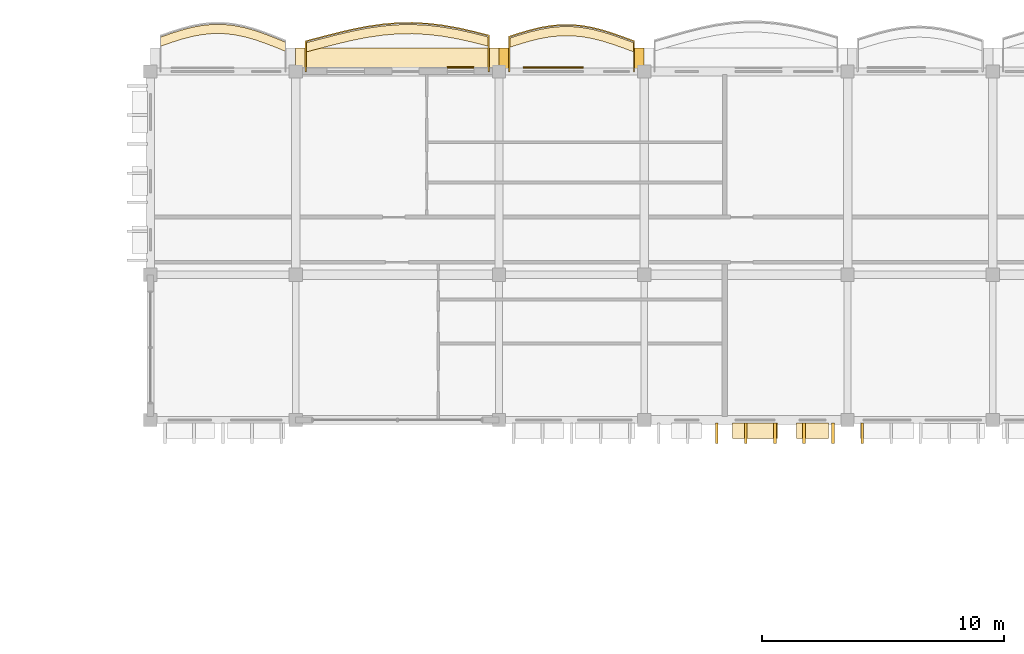
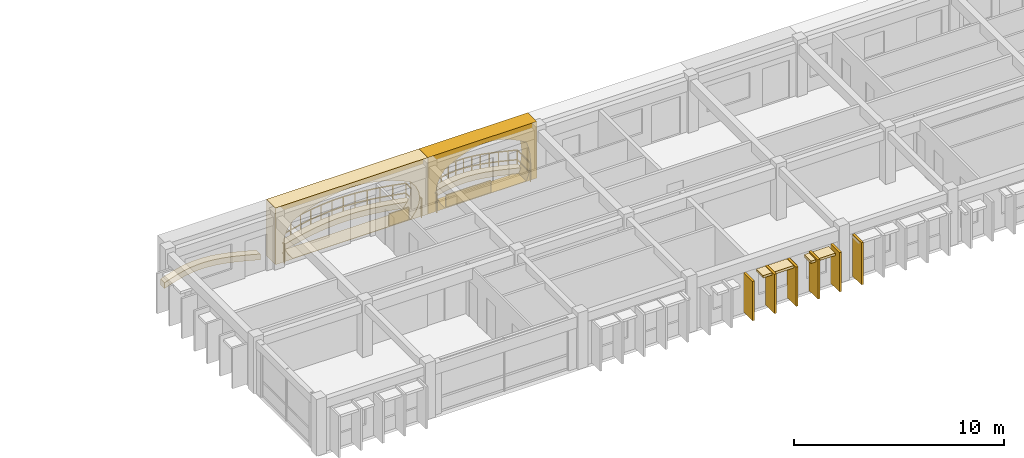
# One storey, part 47 of 54: 15 coverings, 2 railings.
"""IFC4 building model written with IfcOpenShell, lengths in metres."""

import ifcopenshell
import ifcopenshell.guid

model = None  # the IFC model being written
_history = None  # IfcOwnerHistory: only IFC2X3 demands one
_inside = {}  # id of a spatial element -> (the spatial element, [elements in it])
_under = {}  # id of a project, library or spatial element -> (it, [spatial elements below it])
_declared = {}  # id of a project -> (the project, [libraries it declares])
_typed = {}  # id of a type object -> (the type object, [elements of that type])
_made_of = {}  # id of a material, layer set ... -> (it, [elements and type objects made of it])


def new_model(schema):
    """Start an empty IFC model of exactly this schema.

    Asked for "IFC4X3", IfcOpenShell would pick the latest addendum, in which some entities
    have other attributes; the version numbers below select the first issue.
    IFC2X3 requires an IfcOwnerHistory on every rooted entity: one is made here for all.
    """
    global model, _history
    if schema == "IFC4X3":
        model = ifcopenshell.file(schema_version=(4, 3, 0, 0))
    else:
        model = ifcopenshell.file(schema=schema)
    _inside.clear()
    _under.clear()
    _declared.clear()
    _typed.clear()
    _made_of.clear()
    _history = None
    if model.schema == "IFC2X3":
        org = make("IfcOrganization", Name="unknown")
        user = make(
            "IfcPersonAndOrganization",
            ThePerson=make("IfcPerson", FamilyName="unknown"),
            TheOrganization=org,
        )
        app = make(
            "IfcApplication",
            ApplicationDeveloper=org,
            Version="unknown",
            ApplicationFullName="unknown",
            ApplicationIdentifier="unknown",
        )
        _history = make(
            "IfcOwnerHistory",
            OwningUser=user,
            OwningApplication=app,
            ChangeAction="ADDED",
            CreationDate=0,
        )
    return model


def make(cls, **values):
    """One entity of the class cls with the attributes given. An attribute that is None is left unset."""
    return model.create_entity(
        cls, **{name: value for name, value in values.items() if value is not None}
    )


def rooted(cls, **values):
    """An entity with a GlobalId (a new one), such as an element, a storey or a relation."""
    return make(cls, GlobalId=ifcopenshell.guid.new(), OwnerHistory=_history, **values)


def si_unit(unit_type, name, prefix=None):
    """IfcSIUnit, for example si_unit("LENGTHUNIT", "METRE", prefix="MILLI")."""
    return make("IfcSIUnit", UnitType=unit_type, Prefix=prefix, Name=name)


def assignment(units):
    """IfcUnitAssignment: the units of a project."""
    return None if units is None else make("IfcUnitAssignment", Units=units)


def point(xyz):
    """IfcCartesianPoint."""
    return None if xyz is None else make("IfcCartesianPoint", Coordinates=xyz)


def direction(xyz):
    """IfcDirection."""
    return None if xyz is None else make("IfcDirection", DirectionRatios=xyz)


def frame(location, z_axis=None, x_axis=None):
    """IfcAxis2Placement3D, a coordinate frame: its origin and axes. An axis left out is left unset."""
    return make(
        "IfcAxis2Placement3D",
        Location=point(location),
        Axis=direction(z_axis),
        RefDirection=direction(x_axis),
    )


def frame_2d(location, x_axis=None):
    """IfcAxis2Placement2D, a coordinate frame in the plane: its origin and x axis."""
    return make(
        "IfcAxis2Placement2D", Location=point(location), RefDirection=direction(x_axis)
    )


def origin():
    """The frame at (0, 0, 0) with its axes left unset."""
    return frame((0.0, 0.0, 0.0))


def origin_2d():
    """The frame at (0, 0) in the plane with its x axis left unset."""
    return frame_2d((0.0, 0.0))


def place(relative_to, where):
    """IfcLocalPlacement: puts the frame where relative to a parent placement (None: the world)."""
    return make(
        "IfcLocalPlacement", PlacementRelTo=relative_to, RelativePlacement=where
    )


def context(
    kind, dimensions, precision=None, world=None, true_north=None, identifier=None
):
    """IfcGeometricRepresentationContext, for example the 3D "Model" context."""
    return make(
        "IfcGeometricRepresentationContext",
        ContextIdentifier=identifier,
        ContextType=kind,
        CoordinateSpaceDimension=dimensions,
        Precision=precision,
        WorldCoordinateSystem=world,
        TrueNorth=true_north,
    )


def subcontext(parent, identifier, kind, view, scale=None):
    """IfcGeometricRepresentationSubContext, for example "Body" below "Model"."""
    return make(
        "IfcGeometricRepresentationSubContext",
        ContextIdentifier=identifier,
        ContextType=kind,
        ParentContext=parent,
        TargetScale=scale,
        TargetView=view,
    )


def project(units=None, contexts=None):
    """IfcProject with its units and contexts."""
    return rooted(
        "IfcProject",
        Name="project",
        RepresentationContexts=contexts,
        UnitsInContext=assignment(units),
    )


def spatial(cls, under=None, at=None, **own):
    """A site, building, storey or space (cls), placed at a placement, below another one or the project."""
    s = rooted(cls, ObjectPlacement=at, **own)
    if under is not None:
        _under.setdefault(under.id(), (under, []))[1].append(s)
    return s


def polyline(points):
    """IfcPolyline through the points."""
    return make("IfcPolyline", Points=[point(p) for p in points])


def profile(cls, at=None, kind="AREA", **sizes):
    """A parametric profile (cls). Its sizes go by their IFC names, for example OverallWidth=200.0."""
    return make(cls, ProfileType=kind, Position=at, **sizes)


def rectangle(**sizes):
    """IfcRectangleProfileDef."""
    return profile("IfcRectangleProfileDef", **sizes)


def outline(outer, holes=None, kind="AREA"):
    """IfcArbitraryClosedProfileDef: a profile drawn as a closed curve; with holes, ...WithVoids."""
    if holes is None:
        return make("IfcArbitraryClosedProfileDef", ProfileType=kind, OuterCurve=outer)
    return make(
        "IfcArbitraryProfileDefWithVoids",
        ProfileType=kind,
        OuterCurve=outer,
        InnerCurves=holes,
    )


def extrude(swept, where, along, depth):
    """IfcExtrudedAreaSolid: the profile swept, set in the frame where, extruded along a direction by depth."""
    return make(
        "IfcExtrudedAreaSolid",
        SweptArea=swept,
        Position=where,
        ExtrudedDirection=direction(along),
        Depth=depth,
    )


def shape(context_of_items, identifier, shape_type, items):
    """IfcShapeRepresentation: the items that make up one representation, for example the "Body"."""
    return make(
        "IfcShapeRepresentation",
        ContextOfItems=context_of_items,
        RepresentationIdentifier=identifier,
        RepresentationType=shape_type,
        Items=items,
    )


def material(Name=None, Category=None):
    """IfcMaterial."""
    return make("IfcMaterial", Name=Name, Category=Category)


def layer(
    of_material, thickness, ventilated=None, Name=None, Category=None, Priority=None
):
    """IfcMaterialLayer: one layer of a wall or slab, of a material (None: an air gap)."""
    return make(
        "IfcMaterialLayer",
        Material=of_material,
        LayerThickness=thickness,
        IsVentilated=ventilated,
        Name=Name,
        Category=Category,
        Priority=Priority,
    )


def layer_set(layers, Name=None):
    """IfcMaterialLayerSet."""
    return make("IfcMaterialLayerSet", MaterialLayers=layers, LayerSetName=Name)


def made_of(thing, what):
    """Note that an element or type object is made of a material, layer set ...; save() writes the relation."""
    if what is not None:
        _made_of.setdefault(what.id(), (what, []))[1].append(thing)
    return thing


def type_object(cls, material=None, **own):
    """A type object (cls), such as IfcWallType, which elements share."""
    return made_of(rooted(cls, **own), material)


def element(
    cls,
    number,
    at=None,
    inside=None,
    cuts=None,
    type_object=None,
    material=None,
    context=None,
    identifier="Body",
    shape_type=None,
    held_by="IfcProductDefinitionShape",
    body=None,
    shapes=None,
    **own,
):
    """One element of the class cls, such as IfcWall. Its Tag is "e" and its number.

    at: its placement. inside: the storey or other place that contains it. cuts: it is an
    opening in that element (IfcRelVoidsElement). A single representation is given by context,
    identifier, shape_type and body (its items); several are given by shapes. held_by: the class
    of the entity that holds the representations. save() writes the other relations.
    """
    e = rooted(cls, Tag="e%d" % number, ObjectPlacement=at, **own)
    if body is not None:
        shapes = [shape(context, identifier, shape_type, body)]
    if shapes is not None:
        e.Representation = make(held_by, Representations=shapes)
    if inside is not None:
        _inside.setdefault(inside.id(), (inside, []))[1].append(e)
    if cuts is not None:
        rooted(
            "IfcRelVoidsElement", RelatingBuildingElement=cuts, RelatedOpeningElement=e
        )
    if type_object is not None:
        _typed.setdefault(type_object.id(), (type_object, []))[1].append(e)
    return made_of(e, material)


def aggregate(whole, parts):
    """IfcRelAggregates: a whole, such as a stair, and the parts it consists of."""
    return rooted("IfcRelAggregates", RelatingObject=whole, RelatedObjects=parts)


def save(model, path):
    """Write the relations noted so far, then the file.

    IfcRelAggregates (storeys below a building ...), IfcRelContainedInSpatialStructure (elements
    in a storey), IfcRelDefinesByType, IfcRelAssociatesMaterial and IfcRelDeclares: one each for
    every whole, place, type object, material and project.
    """
    for whole, parts in _under.values():
        aggregate(whole, parts)
    for where, things in _inside.values():
        rooted(
            "IfcRelContainedInSpatialStructure",
            RelatedElements=things,
            RelatingStructure=where,
        )
    for kind, things in _typed.values():
        rooted("IfcRelDefinesByType", RelatedObjects=things, RelatingType=kind)
    for what, things in _made_of.values():
        rooted("IfcRelAssociatesMaterial", RelatedObjects=things, RelatingMaterial=what)
    for by, libraries in _declared.values():
        rooted("IfcRelDeclares", RelatingContext=by, RelatedDefinitions=libraries)
    model.write(path)


model = new_model("IFC4")

# Units and contexts
model_context = context("Model", 3, precision=1e-05, world=origin(), true_north=direction((0.0, 1.0)))
body_context = subcontext(model_context, "Body", "Model", "MODEL_VIEW")
ifc_project = project(units=[si_unit("LENGTHUNIT", "METRE"), si_unit("AREAUNIT", "SQUARE_METRE"), si_unit("VOLUMEUNIT", "CUBIC_METRE"), si_unit("PLANEANGLEUNIT", "RADIAN"), si_unit("MASSUNIT", "GRAM", prefix="KILO"), si_unit("THERMODYNAMICTEMPERATUREUNIT", "KELVIN")], contexts=[model_context])

# Site, building, storey
site_placement = place(None, origin())
site = spatial("IfcSite", under=ifc_project, at=site_placement, CompositionType="ELEMENT")
building_placement = place(site_placement, origin())
building = spatial("IfcBuilding", under=site, at=building_placement, Name="Thalorik Housing Commons", CompositionType="ELEMENT")
storey_placement = place(building_placement, frame((0.0, 0.0, 31.199951171875)))
storey = spatial("IfcBuildingStorey", under=building, at=storey_placement, Name="L09", CompositionType="ELEMENT", Elevation=31.199951171875)

# Coverings
ifc_material_1 = material(Name="Cobalt blue glazed ceramic facade tile panel", Category="masonry")
ifc_layer_1 = layer(ifc_material_1, 0.06005859375, Name="Cobalt blue glazed ceramic facade tile panel", Category="masonry")
ifc_layer_set_1 = layer_set([ifc_layer_1], Name="Cobalt blue glazed ceramic facade tile panel")
covering_type_1 = type_object("IfcCoveringType", Name="ARC-CLD-BLU-60", PredefinedType="CLADDING", material=ifc_layer_set_1)
covering_1_placement = place(storey_placement, frame((97.034912109375, 123.75244140625, 0.05029296875), z_axis=(0.0, 0.0, 1.0), x_axis=(-1.0, 0.0, 0.0)))
element("IfcCovering", 1, at=covering_1_placement, inside=storey, type_object=covering_type_1, Name="L09 De Stijl Recessed Window Spandrel 2907", PredefinedType="CLADDING", context=body_context, shape_type="SweptSolid", body=[
    extrude(rectangle(XDim=2.47998046875, YDim=0.06005859375, at=origin_2d()), origin(), (0.0, 0.0, 1.0), 0.699951171875),
])
ifc_material_2 = material(Name="Precast concrete C40/50", Category="concrete")
ifc_layer_2 = layer(ifc_material_2, 0.85009765625, Name="Precast concrete C40/50", Category="concrete")
ifc_layer_set_2 = layer_set([ifc_layer_2], Name="Precast concrete C40/50")
covering_type_2 = type_object("IfcCoveringType", Name="ARC-CLD-CUSH-850", PredefinedType="CLADDING", material=ifc_layer_set_2)
covering_2_placement = place(storey_placement, frame((97.800048828125, 124.142578125, 0.0), z_axis=(0.0, 0.0, 1.0), x_axis=(-1.0, 0.0, 0.0)))
element("IfcCovering", 2, at=covering_2_placement, inside=storey, type_object=covering_type_2, Name="L09 White Precast Curved Cushion Bay Frame 2906", PredefinedType="CLADDING", context=body_context, shape_type="SweptSolid", body=[
    extrude(outline(polyline([(-3.0, 0.0), (3.0, 0.0), (3.0, 3.300048828125), (-3.0, 3.300048828125), (-3.0, 0.0)]), holes=[polyline([(2.054931640625, 0.02490234375), (2.330078125, 0.40087890625), (2.4951171875, 0.776611328125), (2.550048828125, 1.152587890625), (2.4951171875, 1.5283203125), (2.330078125, 1.904296875), (2.054931640625, 2.280029296875), (1.68115234375, 2.51123046875), (1.3076171875, 2.693115234375), (0.93359375, 2.840087890625), (0.56005859375, 2.94970703125), (0.186279296875, 3.01708984375), (-0.1875, 3.0400390625), (-0.561279296875, 3.01708984375), (-0.93505859375, 2.94970703125), (-1.30859375, 2.840087890625), (-1.6826171875, 2.693115234375), (-2.05615234375, 2.51123046875), (-2.429931640625, 2.280029296875), (-2.55029296875, 1.904296875), (-2.62255859375, 1.5283203125), (-2.646484375, 1.152587890625), (-2.62255859375, 0.776611328125), (-2.55029296875, 0.40087890625), (-2.429931640625, 0.02490234375), (2.054931640625, 0.02490234375)])]), frame((0.0, 0.425048828125, 0.0), z_axis=(0.0, -1.0, 0.0), x_axis=(1.0, 0.0, 0.0)), (0.0, 0.0, 1.0), 0.85009765625),
])
covering_3_placement = place(storey_placement, frame((90.60009765625, 124.142578125, 0.0), z_axis=(0.0, 0.0, 1.0), x_axis=(-1.0, 0.0, 0.0)))
element("IfcCovering", 3, at=covering_3_placement, inside=storey, type_object=covering_type_2, Name="L09 White Precast Curved Cushion Bay Frame 2908", PredefinedType="CLADDING", context=body_context, shape_type="SweptSolid", body=[
    extrude(outline(polyline([(-4.199951171875, 0.0), (4.199951171875, 0.0), (4.199951171875, 3.300048828125), (-4.199951171875, 3.300048828125), (-4.199951171875, 0.0)]), holes=[polyline([(3.239990234375, 0.02490234375), (3.523193359375, 0.390869140625), (3.693359375, 0.756591796875), (3.75, 1.12255859375), (3.693359375, 1.48828125), (3.523193359375, 1.854248046875), (3.239990234375, 2.219970703125), (2.699951171875, 2.469482421875), (2.159912109375, 2.66552734375), (1.6201171875, 2.824462890625), (1.080078125, 2.9423828125), (0.5400390625, 3.015380859375), (0.0, 3.0400390625), (-0.5400390625, 3.015380859375), (-1.080078125, 2.9423828125), (-1.6201171875, 2.824462890625), (-2.159912109375, 2.66552734375), (-2.699951171875, 2.469482421875), (-3.239990234375, 2.219970703125), (-3.523193359375, 1.854248046875), (-3.693359375, 1.48828125), (-3.75, 1.12255859375), (-3.693359375, 0.756591796875), (-3.523193359375, 0.390869140625), (-3.239990234375, 0.02490234375), (3.239990234375, 0.02490234375)])]), frame((0.0, 0.425048828125, 0.0), z_axis=(0.0, -1.0, 0.0), x_axis=(1.0, 0.0, 0.0)), (0.0, 0.0, 1.0), 0.85009765625),
])
ifc_layer_3 = layer(ifc_material_2, 0.85009765625, Name="Precast concrete C40/50", Category="concrete")
ifc_layer_set_3 = layer_set([ifc_layer_3], Name="Precast concrete C40/50")
covering_type_3 = type_object("IfcCoveringType", Name="ARC-CLD-FIN-850", PredefinedType="CLADDING", material=ifc_layer_set_3)
for number, where, z_axis, x_axis, name in (
    (4, (103.800048828125, 108.657470703125, 0.0400390625), (0.0, 0.0, 1.0), (1.0, 0.0, 0.0), "L09 Courtyard Precast Vertical Brise-Soleil Fin 2938"),
    (5, (105.0, 108.657470703125, 0.0400390625), (0.0, 0.0, 1.0), (1.0, 0.0, 0.0), "L09 Courtyard Precast Vertical Brise-Soleil Fin 2939"),
    (6, (106.199951171875, 108.657470703125, 0.0400390625), (0.0, 0.0, 1.0), (1.0, 0.0, 0.0), "L09 Courtyard Precast Vertical Brise-Soleil Fin 2940"),
    (7, (107.39990234375, 108.657470703125, 0.0400390625), (0.0, 0.0, 1.0), (1.0, 0.0, 0.0), "L09 Courtyard Precast Vertical Brise-Soleil Fin 2941"),
    (8, (108.60009765625, 108.657470703125, 0.0400390625), (0.0, 0.0, 1.0), (1.0, 0.0, 0.0), "L09 Courtyard Precast Vertical Brise-Soleil Fin 2942"),
):
    element("IfcCovering", number, at=place(storey_placement, frame(where, z_axis=z_axis, x_axis=x_axis)), inside=storey, type_object=covering_type_3, Name=name, PredefinedType="CLADDING", context=body_context, shape_type="SweptSolid", body=[
        extrude(rectangle(XDim=0.110107421875, YDim=0.85009765625, at=origin_2d()), origin(), (0.0, 0.0, 1.0), 2.294921875),
    ])
covering_4_placement = place(storey_placement, frame((109.800048828125, 108.657470703125, 0.0400390625), z_axis=(0.0, 0.0, 1.0), x_axis=(1.0, 0.0, 0.0)))
element("IfcCovering", 9, at=covering_4_placement, inside=storey, type_object=covering_type_3, Name="L09 Courtyard Precast Vertical Brise-Soleil Fin 2946", PredefinedType="CLADDING", context=body_context, shape_type="SweptSolid", body=[
    extrude(rectangle(XDim=0.110107421875, YDim=0.85009765625, at=origin_2d()), origin(), (0.0, 0.0, 1.0), 2.445068359375),
])
ifc_layer_4 = layer(ifc_material_2, 0.64990234375, Name="Precast concrete C40/50", Category="concrete")
ifc_layer_set_4 = layer_set([ifc_layer_4], Name="Precast concrete C40/50")
covering_type_4 = type_object("IfcCoveringType", Name="ARC-CLD-HOOD-650", PredefinedType="CLADDING", material=ifc_layer_set_4)
covering_5_placement = place(storey_placement, frame((105.37744140625, 108.757568359375, 2.169921875), z_axis=(0.0, 0.0, 1.0), x_axis=(1.0, 0.0, 0.0)))
element("IfcCovering", 10, at=covering_5_placement, inside=storey, type_object=covering_type_4, Name="L09 Courtyard Precast Window Sun-Hood 2944", PredefinedType="CLADDING", context=body_context, shape_type="SweptSolid", body=[
    extrude(rectangle(XDim=1.860107421875, YDim=0.64990234375, at=origin_2d()), origin(), (0.0, 0.0, 1.0), 0.139892578125),
])
covering_6_placement = place(storey_placement, frame((107.75244140625, 108.757568359375, 2.09033203125), z_axis=(0.0, 0.0, 1.0), x_axis=(1.0, 0.0, 0.0)))
element("IfcCovering", 11, at=covering_6_placement, inside=storey, type_object=covering_type_4, Name="L09 Courtyard Precast Window Sun-Hood 2945", PredefinedType="CLADDING", context=body_context, shape_type="SweptSolid", body=[
    extrude(rectangle(XDim=1.340087890625, YDim=0.64990234375, at=origin_2d()), origin(), (0.0, 0.0, 1.0), 0.139892578125),
])
ifc_material_3 = material(Name="Mineral ochre architectural terracotta panel", Category="masonry")
ifc_layer_5 = layer(ifc_material_3, 0.06494140625, Name="Mineral ochre architectural terracotta panel", Category="masonry")
ifc_layer_set_5 = layer_set([ifc_layer_5], Name="Mineral ochre architectural terracotta panel")
covering_type_5 = type_object("IfcCoveringType", Name="ARC-CLD-YEL-65", PredefinedType="CLADDING", material=ifc_layer_set_5)
covering_7_placement = place(storey_placement, frame((93.21337890625, 123.7548828125, 0.05029296875), z_axis=(0.0, 0.0, 1.0), x_axis=(-1.0, 0.0, 0.0)))
element("IfcCovering", 12, at=covering_7_placement, inside=storey, type_object=covering_type_5, Name="L09 De Stijl Recessed Window Spandrel 2909", PredefinedType="CLADDING", context=body_context, shape_type="SweptSolid", body=[
    extrude(rectangle(XDim=1.10009765625, YDim=0.06494140625, at=origin_2d()), origin(), (0.0, 0.0, 1.0), 0.699951171875),
])
ifc_material_4 = material(Name="Planted vegetated substrate and terracotta trough", Category="masonry")
ifc_layer_6 = layer(ifc_material_4, 0.340087890625, Name="Planted vegetated substrate and terracotta trough", Category="masonry")
ifc_layer_set_6 = layer_set([ifc_layer_6], Name="Planted vegetated substrate and terracotta trough")
covering_type_6 = type_object("IfcCoveringType", Name="ARC-COV-PLANTER", PredefinedType="USERDEFINED", material=ifc_layer_set_6)
covering_8_placement = place(storey_placement, origin())
element("IfcCovering", 13, at=covering_8_placement, inside=storey, type_object=covering_type_6, Name="L09 Balcony Slab-Edge Planted Trough 5526", ObjectType="PLANTER", PredefinedType="USERDEFINED", context=body_context, shape_type="SweptSolid", body=[
    extrude(outline(polyline([(85.97998046875, 124.80859375), (85.550048828125, 124.98291015625), (85.1201171875, 125.149169921875), (84.68994140625, 125.29638671875), (84.260009765625, 125.41552734375), (83.830078125, 125.4990234375), (83.39990234375, 125.541748046875), (82.969970703125, 125.541748046875), (82.5400390625, 125.499755859375), (82.110107421875, 125.419189453125), (81.679931640625, 125.305908203125), (81.25, 125.168212890625), (80.820068359375, 125.01611328125), (80.820068359375, 124.635986328125), (81.25, 124.788330078125), (81.679931640625, 124.92578125), (82.110107421875, 125.0390625), (82.5400390625, 125.119873046875), (82.969970703125, 125.161865234375), (83.39990234375, 125.161865234375), (83.830078125, 125.118896484375), (84.260009765625, 125.035400390625), (84.68994140625, 124.91650390625), (85.1201171875, 124.76904296875), (85.550048828125, 124.602783203125), (85.97998046875, 124.428466796875), (85.97998046875, 124.80859375)])), origin(), (0.0, 0.0, 1.0), 0.340087890625),
])
covering_9_placement = place(storey_placement, origin())
element("IfcCovering", 14, at=covering_9_placement, inside=storey, type_object=covering_type_6, Name="L09 Balcony Slab-Edge Planted Trough 5527", ObjectType="PLANTER", PredefinedType="USERDEFINED", context=body_context, shape_type="SweptSolid", body=[
    extrude(outline(polyline([(94.3798828125, 125.015380859375), (93.75, 125.176025390625), (93.1201171875, 125.317138671875), (92.489990234375, 125.428955078125), (91.860107421875, 125.50390625), (91.22998046875, 125.537109375), (90.60009765625, 125.526611328125), (89.969970703125, 125.47314453125), (89.340087890625, 125.380615234375), (88.7099609375, 125.255615234375), (88.080078125, 125.10693359375), (87.449951171875, 124.944580078125), (86.820068359375, 124.7802734375), (86.820068359375, 124.400146484375), (87.449951171875, 124.564697265625), (88.080078125, 124.726806640625), (88.7099609375, 124.875732421875), (89.340087890625, 125.00048828125), (89.969970703125, 125.093017578125), (90.60009765625, 125.146484375), (91.22998046875, 125.156982421875), (91.860107421875, 125.123779296875), (92.489990234375, 125.048828125), (93.1201171875, 124.937255859375), (93.75, 124.796142578125), (94.3798828125, 124.635498046875), (94.3798828125, 125.015380859375)])), origin(), (0.0, 0.0, 1.0), 0.340087890625),
])
covering_10_placement = place(storey_placement, origin())
element("IfcCovering", 15, at=covering_10_placement, inside=storey, type_object=covering_type_6, Name="L09 Balcony Slab-Edge Planted Trough 5528", ObjectType="PLANTER", PredefinedType="USERDEFINED", context=body_context, shape_type="SweptSolid", body=[
    extrude(outline(polyline([(100.3798828125, 124.780517578125), (99.949951171875, 124.939208984375), (99.52001953125, 125.09130859375), (99.090087890625, 125.226318359375), (98.659912109375, 125.3359375), (98.22998046875, 125.41259765625), (97.800048828125, 125.451416015625), (97.3701171875, 125.450927734375), (96.93994140625, 125.411376953125), (96.510009765625, 125.33642578125), (96.080078125, 125.231689453125), (95.64990234375, 125.105224609375), (95.219970703125, 124.96630859375), (95.219970703125, 124.58642578125), (95.64990234375, 124.725341796875), (96.080078125, 124.851806640625), (96.510009765625, 124.956298828125), (96.93994140625, 125.031494140625), (97.3701171875, 125.07080078125), (97.800048828125, 125.071533203125), (98.22998046875, 125.032470703125), (98.659912109375, 124.955810546875), (99.090087890625, 124.846435546875), (99.52001953125, 124.711181640625), (99.949951171875, 124.55908203125), (100.3798828125, 124.400390625), (100.3798828125, 124.780517578125)])), origin(), (0.0, 0.0, 1.0), 0.340087890625),
])

# Railings
ifc_material_5 = material(Name="Steel S355", Category="steel")
railing_type_1 = type_object("IfcRailingType", Name="ARC-RL-BAL-112", PredefinedType="BALUSTRADE", material=ifc_material_5)
railing_1_placement = place(storey_placement, frame((100.3798828125, 123.60009765625, 0.0)))
element("IfcRailing", 16, at=railing_1_placement, inside=storey, type_object=railing_type_1, Name="L09 Cushion Balcony Guardrail 212", PredefinedType="BALUSTRADE", context=body_context, shape_type="SweptSolid", body=[
    extrude(rectangle(XDim=0.050048828125, YDim=0.050048828125, at=origin_2d()), frame((0.0, 0.0, 1.09521484375), z_axis=(0.0, 1.0, 0.0), x_axis=(-1.0, 0.0, 0.0)), (0.0, 0.0, 1.0), 1.250244140625),
    extrude(rectangle(XDim=0.050048828125, YDim=0.050048828125, at=origin_2d()), frame((0.0, 0.0, 0.53515625), z_axis=(0.0, 1.0, 0.0), x_axis=(-1.0, 0.0, 0.0)), (0.0, 0.0, 1.0), 1.250244140625),
    extrude(rectangle(XDim=0.050048828125, YDim=0.050048828125, at=origin_2d()), frame((0.0, 1.250244140625, 1.09521484375), z_axis=(-0.938133751887, 0.346273105467, 0.0), x_axis=(-0.346273105467, -0.938133751887, 0.0)), (0.0, 0.0, 1.0), 0.458251953125),
    extrude(rectangle(XDim=0.050048828125, YDim=0.050048828125, at=origin_2d()), frame((0.0, 1.250244140625, 0.53515625), z_axis=(-0.938133751887, 0.346273105467, 0.0), x_axis=(-0.346273105467, -0.938133751887, 0.0)), (0.0, 0.0, 1.0), 0.458251953125),
    extrude(rectangle(XDim=0.050048828125, YDim=0.050048828125, at=origin_2d()), frame((-0.429931640625, 1.408935546875, 1.09521484375), z_axis=(-0.942742991297, 0.333520092889, 0.0), x_axis=(-0.333520092889, -0.942742991297, 0.0)), (0.0, 0.0, 1.0), 0.4560546875),
    extrude(rectangle(XDim=0.050048828125, YDim=0.050048828125, at=origin_2d()), frame((-0.429931640625, 1.408935546875, 0.53515625), z_axis=(-0.942742991297, 0.333520092889, 0.0), x_axis=(-0.333520092889, -0.942742991297, 0.0)), (0.0, 0.0, 1.0), 0.4560546875),
    extrude(rectangle(XDim=0.050048828125, YDim=0.050048828125, at=origin_2d()), frame((-0.85986328125, 1.56103515625, 1.09521484375), z_axis=(-0.953909569084, 0.300094208559, 0.0), x_axis=(-0.300094208559, -0.953909569084, 0.0)), (0.0, 0.0, 1.0), 0.45068359375),
    extrude(rectangle(XDim=0.050048828125, YDim=0.050048828125, at=origin_2d()), frame((-0.85986328125, 1.56103515625, 0.53515625), z_axis=(-0.953909569084, 0.300094208559, 0.0), x_axis=(-0.300094208559, -0.953909569084, 0.0)), (0.0, 0.0, 1.0), 0.45068359375),
    extrude(rectangle(XDim=0.050048828125, YDim=0.050048828125, at=origin_2d()), frame((-1.289794921875, 1.6962890625, 1.09521484375), z_axis=(-0.96903260007, 0.246932824876, 0.0), x_axis=(-0.246932824876, -0.96903260007, 0.0)), (0.0, 0.0, 1.0), 0.44384765625),
    extrude(rectangle(XDim=0.050048828125, YDim=0.050048828125, at=origin_2d()), frame((-1.289794921875, 1.6962890625, 0.53515625), z_axis=(-0.96903260007, 0.246932824876, 0.0), x_axis=(-0.246932824876, -0.96903260007, 0.0)), (0.0, 0.0, 1.0), 0.44384765625),
    extrude(rectangle(XDim=0.050048828125, YDim=0.050048828125, at=origin_2d()), frame((-1.719970703125, 1.805908203125, 1.09521484375), z_axis=(-0.984568930443, 0.174997203423, 0.0), x_axis=(-0.174997203423, -0.984568930443, 0.0)), (0.0, 0.0, 1.0), 0.436767578125),
    extrude(rectangle(XDim=0.050048828125, YDim=0.050048828125, at=origin_2d()), frame((-1.719970703125, 1.805908203125, 0.53515625), z_axis=(-0.984568930443, 0.174997203423, 0.0), x_axis=(-0.174997203423, -0.984568930443, 0.0)), (0.0, 0.0, 1.0), 0.436767578125),
    extrude(rectangle(XDim=0.050048828125, YDim=0.050048828125, at=origin_2d()), frame((-2.14990234375, 1.88232421875, 1.09521484375), z_axis=(-0.995897840652, 0.090484755539, 0.0), x_axis=(-0.090484755539, -0.995897840652, 0.0)), (0.0, 0.0, 1.0), 0.431640625),
    extrude(rectangle(XDim=0.050048828125, YDim=0.050048828125, at=origin_2d()), frame((-2.14990234375, 1.88232421875, 0.53515625), z_axis=(-0.995897840652, 0.090484755539, 0.0), x_axis=(-0.090484755539, -0.995897840652, 0.0)), (0.0, 0.0, 1.0), 0.431640625),
    extrude(rectangle(XDim=0.050048828125, YDim=0.050048828125, at=origin_2d()), frame((-2.579833984375, 1.92138671875, 1.09521484375), z_axis=(-0.999999355073, -0.001135717609, 0.0), x_axis=(0.001135717609, -0.999999355073, 0.0)), (0.0, 0.0, 1.0), 0.429931640625),
    extrude(rectangle(XDim=0.050048828125, YDim=0.050048828125, at=origin_2d()), frame((-2.579833984375, 1.92138671875, 0.53515625), z_axis=(-0.999999355073, -0.001135717609, 0.0), x_axis=(0.001135717609, -0.999999355073, 0.0)), (0.0, 0.0, 1.0), 0.429931640625),
    extrude(rectangle(XDim=0.050048828125, YDim=0.050048828125, at=origin_2d()), frame((-3.009765625, 1.9208984375, 1.09521484375), z_axis=(-0.99580003694, -0.09155482746, 0.0), x_axis=(0.09155482746, -0.99580003694, 0.0)), (0.0, 0.0, 1.0), 0.431884765625),
    extrude(rectangle(XDim=0.050048828125, YDim=0.050048828125, at=origin_2d()), frame((-3.009765625, 1.9208984375, 0.53515625), z_axis=(-0.99580003694, -0.09155482746, 0.0), x_axis=(0.09155482746, -0.99580003694, 0.0)), (0.0, 0.0, 1.0), 0.431884765625),
    extrude(rectangle(XDim=0.050048828125, YDim=0.050048828125, at=origin_2d()), frame((-3.43994140625, 1.88134765625, 1.09521484375), z_axis=(-0.985141873648, -0.171742507217, 0.0), x_axis=(0.171742507217, -0.985141873648, 0.0)), (0.0, 0.0, 1.0), 0.4365234375),
    extrude(rectangle(XDim=0.050048828125, YDim=0.050048828125, at=origin_2d()), frame((-3.43994140625, 1.88134765625, 0.53515625), z_axis=(-0.985141873648, -0.171742507217, 0.0), x_axis=(0.171742507217, -0.985141873648, 0.0)), (0.0, 0.0, 1.0), 0.4365234375),
    extrude(rectangle(XDim=0.050048828125, YDim=0.050048828125, at=origin_2d()), frame((-3.869873046875, 1.806396484375, 1.09521484375), z_axis=(-0.971585356615, -0.236689448034, 0.0), x_axis=(0.236689448034, -0.971585356615, 0.0)), (0.0, 0.0, 1.0), 0.442626953125),
    extrude(rectangle(XDim=0.050048828125, YDim=0.050048828125, at=origin_2d()), frame((-3.869873046875, 1.806396484375, 0.53515625), z_axis=(-0.971585356615, -0.236689448034, 0.0), x_axis=(0.236689448034, -0.971585356615, 0.0)), (0.0, 0.0, 1.0), 0.442626953125),
    extrude(rectangle(XDim=0.050048828125, YDim=0.050048828125, at=origin_2d()), frame((-4.2998046875, 1.70166015625, 1.09521484375), z_axis=(-0.959400175534, -0.282048405747, 0.0), x_axis=(0.282048405747, -0.959400175534, 0.0)), (0.0, 0.0, 1.0), 0.448486328125),
    extrude(rectangle(XDim=0.050048828125, YDim=0.050048828125, at=origin_2d()), frame((-4.2998046875, 1.70166015625, 0.53515625), z_axis=(-0.959400175534, -0.282048405747, 0.0), x_axis=(0.282048405747, -0.959400175534, 0.0)), (0.0, 0.0, 1.0), 0.448486328125),
    extrude(rectangle(XDim=0.050048828125, YDim=0.050048828125, at=origin_2d()), frame((-4.72998046875, 1.5751953125, 1.09521484375), z_axis=(-0.951560814665, -0.307460592586, 0.0), x_axis=(0.307460592586, -0.951560814665, 0.0)), (0.0, 0.0, 1.0), 0.451904296875),
    extrude(rectangle(XDim=0.050048828125, YDim=0.050048828125, at=origin_2d()), frame((-4.72998046875, 1.5751953125, 0.53515625), z_axis=(-0.951560814665, -0.307460592586, 0.0), x_axis=(0.307460592586, -0.951560814665, 0.0)), (0.0, 0.0, 1.0), 0.451904296875),
    extrude(rectangle(XDim=0.050048828125, YDim=0.050048828125, at=origin_2d()), frame((-5.159912109375, 1.436279296875, 1.09521484375), z_axis=(0.0, -1.0, 0.0), x_axis=(1.0, 0.0, 0.0)), (0.0, 0.0, 1.0), 1.436279296875),
    extrude(rectangle(XDim=0.050048828125, YDim=0.050048828125, at=origin_2d()), frame((-5.159912109375, 1.436279296875, 0.53515625), z_axis=(0.0, -1.0, 0.0), x_axis=(1.0, 0.0, 0.0)), (0.0, 0.0, 1.0), 1.436279296875),
    extrude(rectangle(XDim=0.0419921875, YDim=0.0419921875, at=origin_2d()), origin(), (0.0, 0.0, 1.0), 1.070068359375),
    extrude(rectangle(XDim=0.0419921875, YDim=0.0419921875, at=origin_2d()), frame((0.0, 1.250244140625, 0.0)), (0.0, 0.0, 1.0), 1.070068359375),
    extrude(rectangle(XDim=0.0419921875, YDim=0.0419921875, at=origin_2d()), frame((-0.429931640625, 1.408935546875, 0.0)), (0.0, 0.0, 1.0), 1.070068359375),
    extrude(rectangle(XDim=0.0419921875, YDim=0.0419921875, at=origin_2d()), frame((-0.85986328125, 1.56103515625, 0.0)), (0.0, 0.0, 1.0), 1.070068359375),
    extrude(rectangle(XDim=0.0419921875, YDim=0.0419921875, at=origin_2d()), frame((-1.289794921875, 1.6962890625, 0.0)), (0.0, 0.0, 1.0), 1.070068359375),
    extrude(rectangle(XDim=0.0419921875, YDim=0.0419921875, at=origin_2d()), frame((-1.719970703125, 1.805908203125, 0.0)), (0.0, 0.0, 1.0), 1.070068359375),
    extrude(rectangle(XDim=0.0419921875, YDim=0.0419921875, at=origin_2d()), frame((-2.14990234375, 1.88232421875, 0.0)), (0.0, 0.0, 1.0), 1.070068359375),
    extrude(rectangle(XDim=0.0419921875, YDim=0.0419921875, at=origin_2d()), frame((-2.579833984375, 1.92138671875, 0.0)), (0.0, 0.0, 1.0), 1.070068359375),
    extrude(rectangle(XDim=0.0419921875, YDim=0.0419921875, at=origin_2d()), frame((-3.009765625, 1.9208984375, 0.0)), (0.0, 0.0, 1.0), 1.070068359375),
    extrude(rectangle(XDim=0.0419921875, YDim=0.0419921875, at=origin_2d()), frame((-3.43994140625, 1.88134765625, 0.0)), (0.0, 0.0, 1.0), 1.070068359375),
    extrude(rectangle(XDim=0.0419921875, YDim=0.0419921875, at=origin_2d()), frame((-3.869873046875, 1.806396484375, 0.0)), (0.0, 0.0, 1.0), 1.070068359375),
    extrude(rectangle(XDim=0.0419921875, YDim=0.0419921875, at=origin_2d()), frame((-4.2998046875, 1.70166015625, 0.0)), (0.0, 0.0, 1.0), 1.070068359375),
    extrude(rectangle(XDim=0.0419921875, YDim=0.0419921875, at=origin_2d()), frame((-4.72998046875, 1.5751953125, 0.0)), (0.0, 0.0, 1.0), 1.070068359375),
    extrude(rectangle(XDim=0.0419921875, YDim=0.0419921875, at=origin_2d()), frame((-5.159912109375, 1.436279296875, 0.0)), (0.0, 0.0, 1.0), 1.070068359375),
    extrude(rectangle(XDim=0.0419921875, YDim=0.0419921875, at=origin_2d()), frame((-5.159912109375, 0.0, 0.0)), (0.0, 0.0, 1.0), 1.070068359375),
])
railing_type_2 = type_object("IfcRailingType", Name="ARC-RL-BAL-115", PredefinedType="BALUSTRADE", material=ifc_material_5)
railing_2_placement = place(storey_placement, frame((94.3798828125, 123.60009765625, 0.0)))
element("IfcRailing", 17, at=railing_2_placement, inside=storey, type_object=railing_type_2, Name="L09 Cushion Balcony Guardrail 211", PredefinedType="BALUSTRADE", context=body_context, shape_type="SweptSolid", body=[
    extrude(rectangle(XDim=0.050048828125, YDim=0.050048828125, at=origin_2d()), frame((0.0, 0.0, 1.125), z_axis=(0.0, 1.0, 0.0), x_axis=(-1.0, 0.0, 0.0)), (0.0, 0.0, 1.0), 1.4853515625),
    extrude(rectangle(XDim=0.050048828125, YDim=0.050048828125, at=origin_2d()), frame((0.0, 0.0, 0.5498046875), z_axis=(0.0, 1.0, 0.0), x_axis=(-1.0, 0.0, 0.0)), (0.0, 0.0, 1.0), 1.4853515625),
    extrude(rectangle(XDim=0.050048828125, YDim=0.050048828125, at=origin_2d()), frame((0.0, 1.4853515625, 1.125), z_axis=(-0.968982800082, 0.247128171494, 0.0), x_axis=(-0.247128171494, -0.968982800082, 0.0)), (0.0, 0.0, 1.0), 0.650146484375),
    extrude(rectangle(XDim=0.050048828125, YDim=0.050048828125, at=origin_2d()), frame((0.0, 1.4853515625, 0.5498046875), z_axis=(-0.968982800082, 0.247128171494, 0.0), x_axis=(-0.247128171494, -0.968982800082, 0.0)), (0.0, 0.0, 1.0), 0.650146484375),
    extrude(rectangle(XDim=0.050048828125, YDim=0.050048828125, at=origin_2d()), frame((-0.6298828125, 1.64599609375, 1.125), z_axis=(-0.975811839183, 0.218612109708, 0.0), x_axis=(-0.218612109708, -0.975811839183, 0.0)), (0.0, 0.0, 1.0), 0.6455078125),
    extrude(rectangle(XDim=0.050048828125, YDim=0.050048828125, at=origin_2d()), frame((-0.6298828125, 1.64599609375, 0.5498046875), z_axis=(-0.975811839183, 0.218612109708, 0.0), x_axis=(-0.218612109708, -0.975811839183, 0.0)), (0.0, 0.0, 1.0), 0.6455078125),
    extrude(rectangle(XDim=0.050048828125, YDim=0.050048828125, at=origin_2d()), frame((-1.259765625, 1.787109375, 1.125), z_axis=(-0.984683537287, 0.174351172623, 0.0), x_axis=(-0.174351172623, -0.984683537287, 0.0)), (0.0, 0.0, 1.0), 0.639892578125),
    extrude(rectangle(XDim=0.050048828125, YDim=0.050048828125, at=origin_2d()), frame((-1.259765625, 1.787109375, 0.5498046875), z_axis=(-0.984683537287, 0.174351172623, 0.0), x_axis=(-0.174351172623, -0.984683537287, 0.0)), (0.0, 0.0, 1.0), 0.639892578125),
    extrude(rectangle(XDim=0.050048828125, YDim=0.050048828125, at=origin_2d()), frame((-1.889892578125, 1.898681640625, 1.125), z_axis=(-0.992949497864, 0.118538157109, 0.0), x_axis=(-0.118538157109, -0.992949497864, 0.0)), (0.0, 0.0, 1.0), 0.63427734375),
    extrude(rectangle(XDim=0.050048828125, YDim=0.050048828125, at=origin_2d()), frame((-1.889892578125, 1.898681640625, 0.5498046875), z_axis=(-0.992949497864, 0.118538157109, 0.0), x_axis=(-0.118538157109, -0.992949497864, 0.0)), (0.0, 0.0, 1.0), 0.63427734375),
    extrude(rectangle(XDim=0.050048828125, YDim=0.050048828125, at=origin_2d()), frame((-2.519775390625, 1.973876953125, 1.125), z_axis=(-0.998614621038, 0.052619755312, 0.0), x_axis=(-0.052619755312, -0.998614621038, 0.0)), (0.0, 0.0, 1.0), 0.631103515625),
    extrude(rectangle(XDim=0.050048828125, YDim=0.050048828125, at=origin_2d()), frame((-2.519775390625, 1.973876953125, 0.5498046875), z_axis=(-0.998614621038, 0.052619755312, 0.0), x_axis=(-0.052619755312, -0.998614621038, 0.0)), (0.0, 0.0, 1.0), 0.631103515625),
    extrude(rectangle(XDim=0.050048828125, YDim=0.050048828125, at=origin_2d()), frame((-3.14990234375, 2.007080078125, 1.125), z_axis=(-0.999854607762, -0.017051784008, 0.0), x_axis=(0.017051784008, -0.999854607762, 0.0)), (0.0, 0.0, 1.0), 0.6298828125),
    extrude(rectangle(XDim=0.050048828125, YDim=0.050048828125, at=origin_2d()), frame((-3.14990234375, 2.007080078125, 0.5498046875), z_axis=(-0.999854607762, -0.017051784008, 0.0), x_axis=(0.017051784008, -0.999854607762, 0.0)), (0.0, 0.0, 1.0), 0.6298828125),
    extrude(rectangle(XDim=0.050048828125, YDim=0.050048828125, at=origin_2d()), frame((-3.77978515625, 1.996337890625, 1.125), z_axis=(-0.996451941002, -0.084163705207, 0.0), x_axis=(0.084163705207, -0.996451941002, 0.0)), (0.0, 0.0, 1.0), 0.63232421875),
    extrude(rectangle(XDim=0.050048828125, YDim=0.050048828125, at=origin_2d()), frame((-3.77978515625, 1.996337890625, 0.5498046875), z_axis=(-0.996451941002, -0.084163705207, 0.0), x_axis=(0.084163705207, -0.996451941002, 0.0)), (0.0, 0.0, 1.0), 0.63232421875),
    extrude(rectangle(XDim=0.050048828125, YDim=0.050048828125, at=origin_2d()), frame((-4.409912109375, 1.943115234375, 1.125), z_axis=(-0.989381852922, -0.145339427232, 0.0), x_axis=(0.145339427232, -0.989381852922, 0.0)), (0.0, 0.0, 1.0), 0.63671875),
    extrude(rectangle(XDim=0.050048828125, YDim=0.050048828125, at=origin_2d()), frame((-4.409912109375, 1.943115234375, 0.5498046875), z_axis=(-0.989381852922, -0.145339427232, 0.0), x_axis=(0.145339427232, -0.989381852922, 0.0)), (0.0, 0.0, 1.0), 0.63671875),
    extrude(rectangle(XDim=0.050048828125, YDim=0.050048828125, at=origin_2d()), frame((-5.039794921875, 1.8505859375, 1.125), z_axis=(-0.980886430971, -0.194581113002, 0.0), x_axis=(0.194581113002, -0.980886430971, 0.0)), (0.0, 0.0, 1.0), 0.642333984375),
    extrude(rectangle(XDim=0.050048828125, YDim=0.050048828125, at=origin_2d()), frame((-5.039794921875, 1.8505859375, 0.5498046875), z_axis=(-0.980886430971, -0.194581113002, 0.0), x_axis=(0.194581113002, -0.980886430971, 0.0)), (0.0, 0.0, 1.0), 0.642333984375),
    extrude(rectangle(XDim=0.050048828125, YDim=0.050048828125, at=origin_2d()), frame((-5.669921875, 1.7255859375, 1.125), z_axis=(-0.973253660801, -0.229733131561, 0.0), x_axis=(0.229733131561, -0.973253660801, 0.0)), (0.0, 0.0, 1.0), 0.647216796875),
    extrude(rectangle(XDim=0.050048828125, YDim=0.050048828125, at=origin_2d()), frame((-5.669921875, 1.7255859375, 0.5498046875), z_axis=(-0.973253660801, -0.229733131561, 0.0), x_axis=(0.229733131561, -0.973253660801, 0.0)), (0.0, 0.0, 1.0), 0.647216796875),
    extrude(rectangle(XDim=0.050048828125, YDim=0.050048828125, at=origin_2d()), frame((-6.2998046875, 1.576904296875, 1.125), z_axis=(-0.968373886452, -0.249503539128, 0.0), x_axis=(0.249503539128, -0.968373886452, 0.0)), (0.0, 0.0, 1.0), 0.650634765625),
    extrude(rectangle(XDim=0.050048828125, YDim=0.050048828125, at=origin_2d()), frame((-6.2998046875, 1.576904296875, 0.5498046875), z_axis=(-0.968373886452, -0.249503539128, 0.0), x_axis=(0.249503539128, -0.968373886452, 0.0)), (0.0, 0.0, 1.0), 0.650634765625),
    extrude(rectangle(XDim=0.050048828125, YDim=0.050048828125, at=origin_2d()), frame((-6.929931640625, 1.41455078125, 1.125), z_axis=(-0.967529600812, -0.252757732925, 0.0), x_axis=(0.252757732925, -0.967529600812, 0.0)), (0.0, 0.0, 1.0), 0.651123046875),
    extrude(rectangle(XDim=0.050048828125, YDim=0.050048828125, at=origin_2d()), frame((-6.929931640625, 1.41455078125, 0.5498046875), z_axis=(-0.967529600812, -0.252757732925, 0.0), x_axis=(0.252757732925, -0.967529600812, 0.0)), (0.0, 0.0, 1.0), 0.651123046875),
    extrude(rectangle(XDim=0.050048828125, YDim=0.050048828125, at=origin_2d()), frame((-7.559814453125, 1.25, 1.125), z_axis=(0.0, -1.0, 0.0), x_axis=(1.0, 0.0, 0.0)), (0.0, 0.0, 1.0), 1.25),
    extrude(rectangle(XDim=0.050048828125, YDim=0.050048828125, at=origin_2d()), frame((-7.559814453125, 1.25, 0.5498046875), z_axis=(0.0, -1.0, 0.0), x_axis=(1.0, 0.0, 0.0)), (0.0, 0.0, 1.0), 1.25),
    extrude(rectangle(XDim=0.0419921875, YDim=0.0419921875, at=origin_2d()), origin(), (0.0, 0.0, 1.0), 1.099853515625),
    extrude(rectangle(XDim=0.0419921875, YDim=0.0419921875, at=origin_2d()), frame((0.0, 1.4853515625, 0.0)), (0.0, 0.0, 1.0), 1.099853515625),
    extrude(rectangle(XDim=0.0419921875, YDim=0.0419921875, at=origin_2d()), frame((-0.6298828125, 1.64599609375, 0.0)), (0.0, 0.0, 1.0), 1.099853515625),
    extrude(rectangle(XDim=0.0419921875, YDim=0.0419921875, at=origin_2d()), frame((-1.259765625, 1.787109375, 0.0)), (0.0, 0.0, 1.0), 1.099853515625),
    extrude(rectangle(XDim=0.0419921875, YDim=0.0419921875, at=origin_2d()), frame((-1.889892578125, 1.898681640625, 0.0)), (0.0, 0.0, 1.0), 1.099853515625),
    extrude(rectangle(XDim=0.0419921875, YDim=0.0419921875, at=origin_2d()), frame((-2.519775390625, 1.973876953125, 0.0)), (0.0, 0.0, 1.0), 1.099853515625),
    extrude(rectangle(XDim=0.0419921875, YDim=0.0419921875, at=origin_2d()), frame((-3.14990234375, 2.007080078125, 0.0)), (0.0, 0.0, 1.0), 1.099853515625),
    extrude(rectangle(XDim=0.0419921875, YDim=0.0419921875, at=origin_2d()), frame((-3.77978515625, 1.996337890625, 0.0)), (0.0, 0.0, 1.0), 1.099853515625),
    extrude(rectangle(XDim=0.0419921875, YDim=0.0419921875, at=origin_2d()), frame((-4.409912109375, 1.943115234375, 0.0)), (0.0, 0.0, 1.0), 1.099853515625),
    extrude(rectangle(XDim=0.0419921875, YDim=0.0419921875, at=origin_2d()), frame((-5.039794921875, 1.8505859375, 0.0)), (0.0, 0.0, 1.0), 1.099853515625),
    extrude(rectangle(XDim=0.0419921875, YDim=0.0419921875, at=origin_2d()), frame((-5.669921875, 1.7255859375, 0.0)), (0.0, 0.0, 1.0), 1.099853515625),
    extrude(rectangle(XDim=0.0419921875, YDim=0.0419921875, at=origin_2d()), frame((-6.2998046875, 1.576904296875, 0.0)), (0.0, 0.0, 1.0), 1.099853515625),
    extrude(rectangle(XDim=0.0419921875, YDim=0.0419921875, at=origin_2d()), frame((-6.929931640625, 1.41455078125, 0.0)), (0.0, 0.0, 1.0), 1.099853515625),
    extrude(rectangle(XDim=0.0419921875, YDim=0.0419921875, at=origin_2d()), frame((-7.559814453125, 1.25, 0.0)), (0.0, 0.0, 1.0), 1.099853515625),
    extrude(rectangle(XDim=0.0419921875, YDim=0.0419921875, at=origin_2d()), frame((-7.559814453125, 0.0, 0.0)), (0.0, 0.0, 1.0), 1.099853515625),
])

save(model, "model.ifc")
